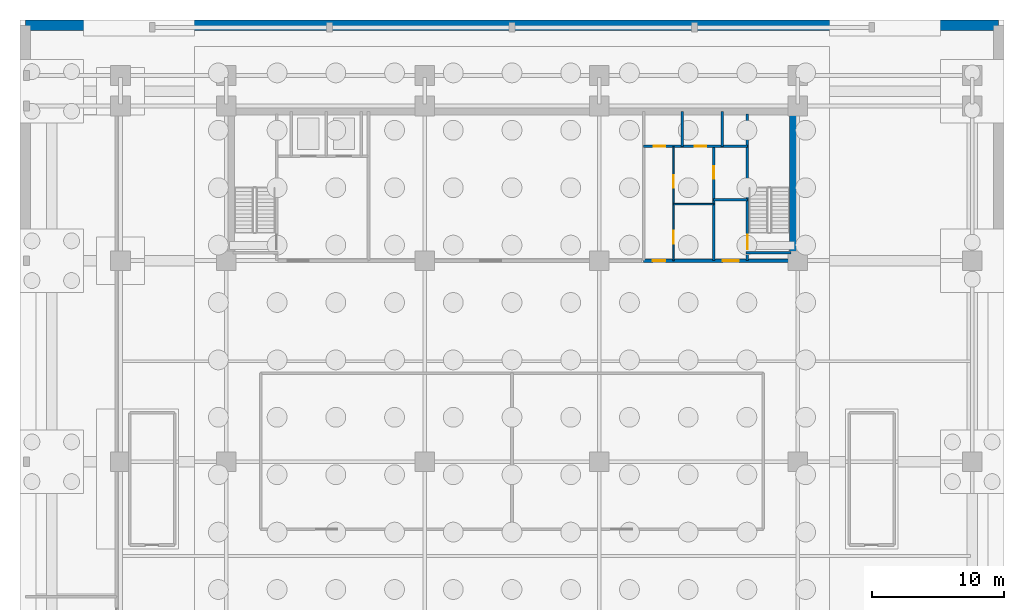
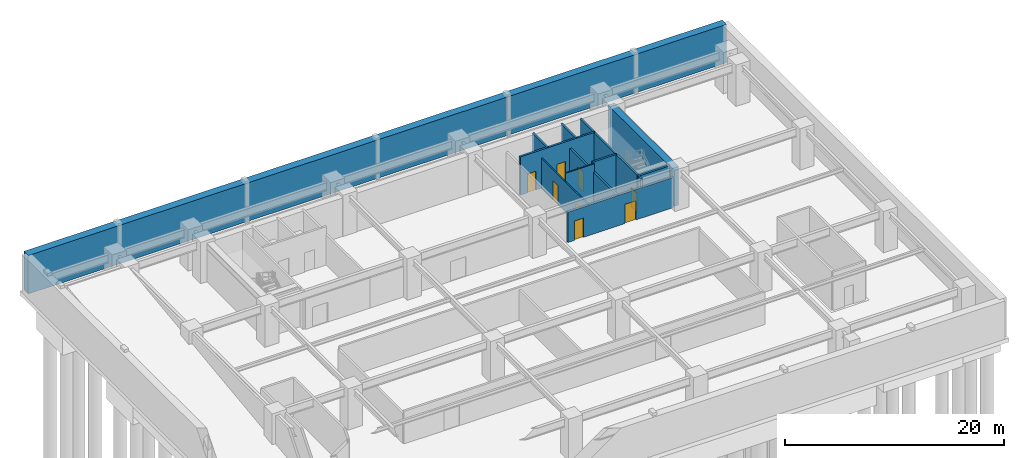
# One storey, part 6 of 9: 12 walls, 8 doors, 8 openings.
"""IFC4 building model written with IfcOpenShell, lengths in metres."""

from ifc_helpers import new_model, si_unit, direction, frame, frame_2d, origin, place, context, subcontext, project, spatial, rectangle, extrude, source, transform, mapped, material, layer, layer_set, type_object, element, fill, save


model = new_model("IFC4")

# Units and contexts
model_context = context("Model", 3, precision=1e-05, world=origin(), true_north=direction((0.0, 1.0)))
body_context = subcontext(model_context, "Body", "Model", "MODEL_VIEW")
ifc_project = project(units=[si_unit("LENGTHUNIT", "METRE"), si_unit("AREAUNIT", "SQUARE_METRE"), si_unit("VOLUMEUNIT", "CUBIC_METRE"), si_unit("PLANEANGLEUNIT", "RADIAN"), si_unit("MASSUNIT", "GRAM", prefix="KILO")], contexts=[model_context])

# Site, building, storey
site_placement = place(None, origin())
site = spatial("IfcSite", under=ifc_project, at=site_placement, CompositionType="ELEMENT")
building_placement = place(site_placement, origin())
building = spatial("IfcBuilding", under=site, at=building_placement, Name="Trelvane Seafront Commons", CompositionType="ELEMENT")
storey_placement = place(building_placement, frame((0.0, 0.0, -13.199951171875)))
storey = spatial("IfcBuildingStorey", under=building, at=storey_placement, Name="B03", CompositionType="ELEMENT", Elevation=-13.199951171875)

# Wall, opening, door
ifc_material_1 = material(Name="Concrete C40/50", Category="concrete")
ifc_layer_1 = layer(ifc_material_1, 0.199951171875, Name="ARCH-WALL-FIRE200")
ifc_layer_set_1 = layer_set([ifc_layer_1], Name="Concrete C40/50")
wall_type_1 = type_object("IfcWallType", Name="ARCH-WALL-FIRE200", PredefinedType="PARTITIONING", material=ifc_layer_set_1)
wall_1_placement = place(storey_placement, frame((52.449951171875, 33.39990234375, 0.0), z_axis=(0.0, 0.0, 1.0), x_axis=(0.0, 1.0, 0.0)))
wall_1 = element("IfcWall", 1, at=wall_1_placement, inside=storey, type_object=wall_type_1, Name="W-B03-ST2V-W-027", PredefinedType="PARTITIONING", context=body_context, shape_type="SweptSolid", body=[
    extrude(rectangle(XDim=8.650146484375, YDim=0.199951171875, at=frame_2d((4.3251953125, 0.0))), origin(), (0.0, 0.0, 1.0), 3.3798828125),
])
opening_1_placement = place(wall_1_placement, frame((6.199951171875, 0.0, 0.0)))
opening_1 = element("IfcOpeningElement", 2, at=opening_1_placement, cuts=wall_1, Name="Opening FD-B03-11", PredefinedType="OPENING", context=body_context, shape_type="SweptSolid", body=[
    extrude(rectangle(XDim=0.949951171875, YDim=2.14990234375, at=frame_2d((0.47509765625, 1.074951171875))), frame((0.0, 0.10986328125, 0.0), z_axis=(0.0, -1.0, 0.0), x_axis=(1.0, 0.0, 0.0)), (0.0, 0.0, 1.0), 0.219970703125),
])
ifc_material_2 = material(Name="Powder-coated aluminium frame", Category="aluminium")
door_type_1 = type_object("IfcDoorType", Name="ARCH-DR-FD60-950", OperationType="NOTDEFINED", PredefinedType="DOOR", material=ifc_material_2)
shared_shape_1 = source(origin(), body_context, "Body", "SweptSolid", [
    extrude(rectangle(XDim=0.949951171875, YDim=2.14990234375, at=frame_2d((0.47509765625, 1.074951171875))), frame((0.0, 0.02490234375, 0.0), z_axis=(0.0, -1.0, 0.0), x_axis=(1.0, 0.0, 0.0)), (0.0, 0.0, 1.0), 0.050048828125),
])
door_1_placement = place(opening_1_placement, origin())
door_1 = element("IfcDoor", 3, at=door_1_placement, inside=storey, type_object=door_type_1, Name="B03 Cleaner Store Door", OperationType="SINGLE_SWING_LEFT", OverallHeight=2.14990234375, OverallWidth=0.949951171875, PredefinedType="DOOR", context=body_context, shape_type="MappedRepresentation", body=[
    mapped(shared_shape_1, transform((0.0, 0.0, 0.0), x_axis=(1.0, 0.0, 0.0), y_axis=(0.0, 1.0, 0.0), z_axis=(0.0, 0.0, 1.0), scale=1.0)),
])
fill(opening_1, door_1)

# Wall
wall_2_placement = place(storey_placement, frame((52.449951171875, 38.0, 0.0), z_axis=(0.0, 0.0, 1.0), x_axis=(1.0, 0.0, 0.0)))
element("IfcWall", 4, at=wall_2_placement, inside=storey, type_object=wall_type_1, Name="W-B03-ST2V-N-028", PredefinedType="PARTITIONING", context=body_context, shape_type="SweptSolid", body=[
    extrude(rectangle(XDim=2.550048828125, YDim=0.199951171875, at=frame_2d((1.27490234375, 0.0))), origin(), (0.0, 0.0, 1.0), 4.280029296875),
])

# Wall, openings, doors
ifc_layer_2 = layer(ifc_material_1, 0.25, Name="ARCH-WALL-FIRE250")
ifc_layer_set_2 = layer_set([ifc_layer_2], Name="Concrete C40/50")
wall_type_2 = type_object("IfcWallType", Name="ARCH-WALL-FIRE250", PredefinedType="PARTITIONING", material=ifc_layer_set_2)
wall_3_placement = place(storey_placement, frame((47.14990234375, 33.39990234375, 0.0), z_axis=(0.0, 0.0, 1.0), x_axis=(1.0, 0.0, 0.0)))
wall_3 = element("IfcWall", 5, at=wall_3_placement, inside=storey, type_object=wall_type_2, Name="W-B03-CS-EAST-031", PredefinedType="PARTITIONING", context=body_context, shape_type="SweptSolid", body=[
    extrude(rectangle(XDim=11.150146484375, YDim=0.25, at=frame_2d((5.5751953125, 0.0))), origin(), (0.0, 0.0, 1.0), 3.3798828125),
])
opening_2_placement = place(wall_3_placement, frame((0.699951171875, 0.0, 0.0)))
opening_2 = element("IfcOpeningElement", 6, at=opening_2_placement, cuts=wall_3, Name="Opening FD-B03-14", PredefinedType="OPENING", context=body_context, shape_type="SweptSolid", body=[
    extrude(rectangle(XDim=0.949951171875, YDim=2.14990234375, at=frame_2d((0.47509765625, 1.074951171875))), frame((0.0, 0.135009765625, 0.0), z_axis=(0.0, -1.0, 0.0), x_axis=(1.0, 0.0, 0.0)), (0.0, 0.0, 1.0), 0.27001953125),
])
opening_3_placement = place(wall_3_placement, frame((6.0, 0.0, 0.0)))
opening_3 = element("IfcOpeningElement", 7, at=opening_3_placement, cuts=wall_3, Name="Opening FD-B03-15", PredefinedType="OPENING", context=body_context, shape_type="SweptSolid", body=[
    extrude(rectangle(XDim=1.199951171875, YDim=2.14990234375, at=frame_2d((0.60009765625, 1.074951171875))), frame((0.0, 0.135009765625, 0.0), z_axis=(0.0, -1.0, 0.0), x_axis=(1.0, 0.0, 0.0)), (0.0, 0.0, 1.0), 0.27001953125),
])
door_2_placement = place(opening_2_placement, origin())
door_2 = element("IfcDoor", 8, at=door_2_placement, inside=storey, type_object=door_type_1, Name="B03 Core Service Lobby Door", OperationType="SINGLE_SWING_RIGHT", OverallHeight=2.14990234375, OverallWidth=0.949951171875, PredefinedType="DOOR", context=body_context, shape_type="MappedRepresentation", body=[
    mapped(shared_shape_1, transform((0.0, 0.0, 0.0), x_axis=(1.0, 0.0, 0.0), y_axis=(0.0, 1.0, 0.0), z_axis=(0.0, 0.0, 1.0), scale=1.0)),
])
fill(opening_2, door_2)
door_type_2 = type_object("IfcDoorType", Name="ARCH-DR-FD60-1200", OperationType="NOTDEFINED", PredefinedType="DOOR", material=ifc_material_2)
shared_shape_2 = source(origin(), body_context, "Body", "SweptSolid", [
    extrude(rectangle(XDim=1.199951171875, YDim=2.14990234375, at=frame_2d((0.60009765625, 1.074951171875))), frame((0.0, 0.02490234375, 0.0), z_axis=(0.0, -1.0, 0.0), x_axis=(1.0, 0.0, 0.0)), (0.0, 0.0, 1.0), 0.050048828125),
])
door_3_placement = place(opening_3_placement, origin())
door_3 = element("IfcDoor", 9, at=door_3_placement, inside=storey, type_object=door_type_2, Name="B03 East Stair Vestibule Fire Door", OperationType="SINGLE_SWING_LEFT", OverallHeight=2.14990234375, OverallWidth=1.199951171875, PredefinedType="DOOR", context=body_context, shape_type="MappedRepresentation", body=[
    mapped(shared_shape_2, transform((0.0, 0.0, 0.0), x_axis=(1.0, 0.0, 0.0), y_axis=(0.0, 1.0, 0.0), z_axis=(0.0, 0.0, 1.0), scale=1.0)),
])
fill(opening_3, door_3)

ifc_material_3 = material(Name="Gypsum Drywall Acoustic Partition")
ifc_layer_3 = layer(ifc_material_3, 0.1201171875, Name="ARCH-WALL-PART120")
ifc_layer_set_3 = layer_set([ifc_layer_3], Name="Gypsum Drywall Acoustic Partition")
wall_type_3 = type_object("IfcWallType", Name="ARCH-WALL-PART120", PredefinedType="PARTITIONING", material=ifc_layer_set_3)
wall_4_placement = place(storey_placement, frame((49.419921875, 33.39990234375, 0.0), z_axis=(0.0, 0.0, 1.0), x_axis=(0.0, 1.0, 0.0)))
wall_4 = element("IfcWall", 10, at=wall_4_placement, inside=storey, type_object=wall_type_3, Name="W-B03-CYC0-V-029", PredefinedType="PARTITIONING", context=body_context, shape_type="SweptSolid", body=[
    extrude(rectangle(XDim=8.60009765625, YDim=0.1201171875, at=frame_2d((4.300048828125, 0.0))), origin(), (0.0, 0.0, 1.0), 3.3798828125),
])
opening_4_placement = place(wall_4_placement, frame((1.300048828125, 0.0, 0.0)))
opening_4 = element("IfcOpeningElement", 11, at=opening_4_placement, cuts=wall_4, Name="Opening D-B03-12", PredefinedType="OPENING", context=body_context, shape_type="SweptSolid", body=[
    extrude(rectangle(XDim=0.949951171875, YDim=2.14990234375, at=frame_2d((0.47509765625, 1.074951171875))), frame((0.0, 0.070068359375, 0.0), z_axis=(0.0, -1.0, 0.0), x_axis=(1.0, 0.0, 0.0)), (0.0, 0.0, 1.0), 0.14013671875),
])
opening_5_placement = place(wall_4_placement, frame((5.5, 0.0, 0.0)))
opening_5 = element("IfcOpeningElement", 12, at=opening_5_placement, cuts=wall_4, Name="Opening D-B03-13", PredefinedType="OPENING", context=body_context, shape_type="SweptSolid", body=[
    extrude(rectangle(XDim=0.949951171875, YDim=2.14990234375, at=frame_2d((0.47509765625, 1.074951171875))), frame((0.0, 0.070068359375, 0.0), z_axis=(0.0, -1.0, 0.0), x_axis=(1.0, 0.0, 0.0)), (0.0, 0.0, 1.0), 0.14013671875),
])
ifc_material_4 = material(Name="Acoustic timber door leaf", Category="wood")
door_type_3 = type_object("IfcDoorType", Name="ARCH-DR-INT950", OperationType="NOTDEFINED", PredefinedType="DOOR", material=ifc_material_4)
door_4_placement = place(opening_4_placement, origin())
door_4 = element("IfcDoor", 13, at=door_4_placement, inside=storey, type_object=door_type_3, Name="B03 Accessible WC Door", OperationType="SINGLE_SWING_RIGHT", OverallHeight=2.14990234375, OverallWidth=0.949951171875, PredefinedType="DOOR", context=body_context, shape_type="MappedRepresentation", body=[
    mapped(shared_shape_1, transform((0.0, 0.0, 0.0), x_axis=(1.0, 0.0, 0.0), y_axis=(0.0, 1.0, 0.0), z_axis=(0.0, 0.0, 1.0), scale=1.0)),
])
fill(opening_4, door_4)
door_5_placement = place(opening_5_placement, origin())
door_5 = element("IfcDoor", 14, at=door_5_placement, inside=storey, type_object=door_type_3, Name="B03 Common WC Door", OperationType="SINGLE_SWING_LEFT", OverallHeight=2.14990234375, OverallWidth=0.949951171875, PredefinedType="DOOR", context=body_context, shape_type="MappedRepresentation", body=[
    mapped(shared_shape_1, transform((0.0, 0.0, 0.0), x_axis=(1.0, 0.0, 0.0), y_axis=(0.0, 1.0, 0.0), z_axis=(0.0, 0.0, 1.0), scale=1.0)),
])
fill(opening_5, door_5)

# Wall
wall_5_placement = place(storey_placement, frame((49.419921875, 37.679931640625, 0.0), z_axis=(0.0, 0.0, 1.0), x_axis=(1.0, 0.0, 0.0)))
element("IfcWall", 15, at=wall_5_placement, inside=storey, type_object=wall_type_3, Name="W-B03-CYC0-H-030", PredefinedType="PARTITIONING", context=body_context, shape_type="SweptSolid", body=[
    extrude(rectangle(XDim=3.030029296875, YDim=0.1201171875, at=frame_2d((1.51513671875, 0.0))), origin(), (0.0, 0.0, 1.0), 4.280029296875),
])

# Wall, openings, doors
ifc_layer_4 = layer(ifc_material_1, 0.199951171875, Name="ARCH-WALL-SHAFT200")
ifc_layer_set_4 = layer_set([ifc_layer_4], Name="Concrete C40/50")
wall_type_4 = type_object("IfcWallType", Name="ARCH-WALL-SHAFT200", PredefinedType="SOLIDWALL", material=ifc_layer_set_4)
wall_6_placement = place(storey_placement, frame((47.14990234375, 42.050048828125, 0.0), z_axis=(0.0, 0.0, 1.0), x_axis=(1.0, 0.0, 0.0)))
wall_6 = element("IfcWall", 16, at=wall_6_placement, inside=storey, type_object=wall_type_4, Name="W-B03-RSR-S-024", PredefinedType="SOLIDWALL", context=body_context, shape_type="SweptSolid", body=[
    extrude(rectangle(XDim=7.85009765625, YDim=0.199951171875, at=frame_2d((3.925048828125, 0.0))), origin(), (0.0, 0.0, 1.0), 4.280029296875),
])
opening_6_placement = place(wall_6_placement, frame((0.75, 0.0, 0.0)))
opening_6 = element("IfcOpeningElement", 17, at=opening_6_placement, cuts=wall_6, Name="Opening FD-B03-09", PredefinedType="OPENING", context=body_context, shape_type="SweptSolid", body=[
    extrude(rectangle(XDim=0.89990234375, YDim=2.10009765625, at=frame_2d((0.449951171875, 1.050048828125))), frame((0.0, 0.10986328125, 0.0), z_axis=(0.0, -1.0, 0.0), x_axis=(1.0, 0.0, 0.0)), (0.0, 0.0, 1.0), 0.219970703125),
])
opening_7_placement = place(wall_6_placement, frame((3.85009765625, 0.0, 0.0)))
opening_7 = element("IfcOpeningElement", 18, at=opening_7_placement, cuts=wall_6, Name="Opening FD-B03-10", PredefinedType="OPENING", context=body_context, shape_type="SweptSolid", body=[
    extrude(rectangle(XDim=0.89990234375, YDim=2.10009765625, at=frame_2d((0.449951171875, 1.050048828125))), frame((0.0, 0.10986328125, 0.0), z_axis=(0.0, -1.0, 0.0), x_axis=(1.0, 0.0, 0.0)), (0.0, 0.0, 1.0), 0.219970703125),
])
door_type_4 = type_object("IfcDoorType", Name="ARCH-DR-FD60-900", OperationType="NOTDEFINED", PredefinedType="DOOR", material=ifc_material_2)
shared_shape_3 = source(origin(), body_context, "Body", "SweptSolid", [
    extrude(rectangle(XDim=0.89990234375, YDim=2.10009765625, at=frame_2d((0.449951171875, 1.050048828125))), frame((0.0, 0.02490234375, 0.0), z_axis=(0.0, -1.0, 0.0), x_axis=(1.0, 0.0, 0.0)), (0.0, 0.0, 1.0), 0.050048828125),
])
door_6_placement = place(opening_6_placement, origin())
door_6 = element("IfcDoor", 19, at=door_6_placement, inside=storey, type_object=door_type_4, Name="B03 Electrical Riser Access Door", OperationType="SINGLE_SWING_LEFT", OverallHeight=2.10009765625, OverallWidth=0.89990234375, PredefinedType="DOOR", context=body_context, shape_type="MappedRepresentation", body=[
    mapped(shared_shape_3, transform((0.0, 0.0, 0.0), x_axis=(1.0, 0.0, 0.0), y_axis=(0.0, 1.0, 0.0), z_axis=(0.0, 0.0, 1.0), scale=1.0)),
])
fill(opening_6, door_6)
door_7_placement = place(opening_7_placement, origin())
door_7 = element("IfcDoor", 20, at=door_7_placement, inside=storey, type_object=door_type_4, Name="B03 Mechanical Riser Access Door", OperationType="SINGLE_SWING_RIGHT", OverallHeight=2.10009765625, OverallWidth=0.89990234375, PredefinedType="DOOR", context=body_context, shape_type="MappedRepresentation", body=[
    mapped(shared_shape_3, transform((0.0, 0.0, 0.0), x_axis=(1.0, 0.0, 0.0), y_axis=(0.0, 1.0, 0.0), z_axis=(0.0, 0.0, 1.0), scale=1.0)),
])
fill(opening_7, door_7)

# Walls
for number, where, z_axis, x_axis, name in (
    (21, (50.080078125, 42.050048828125, 0.0), (0.0, 0.0, 1.0), (0.0, 1.0, 0.0), "W-B03-RSR-DIV-025"),
    (22, (53.10009765625, 42.050048828125, 0.0), (0.0, 0.0, 1.0), (0.0, 1.0, 0.0), "W-B03-RSR-E-026"),
):
    element("IfcWall", number, at=place(storey_placement, frame(where, z_axis=z_axis, x_axis=x_axis)), inside=storey, type_object=wall_type_4, Name=name, PredefinedType="SOLIDWALL", context=body_context, shape_type="SweptSolid", body=[
        extrude(rectangle(XDim=2.64990234375, YDim=0.199951171875, at=frame_2d((1.324951171875, 0.0))), origin(), (0.0, 0.0, 1.0), 4.280029296875),
    ])
ifc_material_5 = material(Name="Concrete C60/75", Category="concrete")
ifc_layer_5 = layer(ifc_material_5, 0.699951171875, Name="STR-WALL-CORE700")
ifc_layer_set_5 = layer_set([ifc_layer_5], Name="Concrete C60/75")
wall_type_5 = type_object("IfcWallType", Name="STR-WALL-CORE700", PredefinedType="SHEAR", material=ifc_layer_set_5)
wall_7_placement = place(storey_placement, frame((58.550048828125, 33.39990234375, 0.0), z_axis=(0.0, 0.0, 1.0), x_axis=(0.0, 1.0, 0.0)))
element("IfcWall", 23, at=wall_7_placement, inside=storey, type_object=wall_type_5, Name="W-B03-CE-END-003", PredefinedType="SHEAR", context=body_context, shape_type="SweptSolid", body=[
    extrude(rectangle(XDim=11.7001953125, YDim=0.699951171875, at=frame_2d((5.85009765625, 0.0))), origin(), (0.0, 0.0, 1.0), 4.280029296875),
])
ifc_material_6 = material(Name="Concrete C50/60", Category="concrete")
ifc_layer_6 = layer(ifc_material_6, 0.800048828125, Name="STR-WALL-RET800")
ifc_layer_set_6 = layer_set([ifc_layer_6], Name="Concrete C50/60")
wall_type_6 = type_object("IfcWallType", Name="STR-WALL-RET800", PredefinedType="USERDEFINED", material=ifc_layer_set_6)
wall_8_placement = place(storey_placement, frame((74.0, 51.199951171875, 0.0), z_axis=(0.0, 0.0, 1.0), x_axis=(-1.0, 0.0, 0.0)))
element("IfcWall", 24, at=wall_8_placement, inside=storey, type_object=wall_type_6, Name="RET-B03-03", ObjectType="RETAINING WALL", PredefinedType="USERDEFINED", context=body_context, shape_type="SweptSolid", body=[
    extrude(rectangle(XDim=73.60009765625, YDim=0.800048828125, at=frame_2d((36.800048828125, 0.0))), origin(), (0.0, 0.0, 1.0), 4.280029296875),
])
ifc_layer_7 = layer(ifc_material_6, 0.199951171875, Name="STR-WALL-STAIR200")
ifc_layer_set_7 = layer_set([ifc_layer_7], Name="Concrete C50/60")
wall_type_7 = type_object("IfcWallType", Name="STR-WALL-STAIR200", PredefinedType="SHEAR", material=ifc_layer_set_7)
wall_9_placement = place(storey_placement, frame((54.89990234375, 34.0, 0.0), z_axis=(0.0, 0.0, 1.0), x_axis=(1.0, 0.0, 0.0)))
element("IfcWall", 25, at=wall_9_placement, inside=storey, type_object=wall_type_7, Name="W-B03-ST2-S-006", PredefinedType="SHEAR", context=body_context, shape_type="SweptSolid", body=[
    extrude(rectangle(XDim=3.400146484375, YDim=0.199951171875, at=frame_2d((1.7001953125, 0.0))), origin(), (0.0, 0.0, 1.0), 4.280029296875),
])

# Wall, opening, door
wall_10_placement = place(storey_placement, frame((55.0, 33.39990234375, 0.0), z_axis=(0.0, 0.0, 1.0), x_axis=(0.0, 1.0, 0.0)))
wall_10 = element("IfcWall", 26, at=wall_10_placement, inside=storey, type_object=wall_type_7, Name="W-B03-ST2-W-007", PredefinedType="SHEAR", context=body_context, shape_type="SweptSolid", body=[
    extrude(rectangle(XDim=11.10009765625, YDim=0.199951171875, at=frame_2d((5.550048828125, 0.0))), origin(), (0.0, 0.0, 1.0), 4.280029296875),
])
opening_8_placement = place(wall_10_placement, frame((0.85009765625, 0.0, 0.0)))
opening_8 = element("IfcOpeningElement", 27, at=opening_8_placement, cuts=wall_10, Name="Opening ST-D2-B03", PredefinedType="OPENING", context=body_context, shape_type="SweptSolid", body=[
    extrude(rectangle(XDim=1.10009765625, YDim=2.14990234375, at=frame_2d((0.550048828125, 1.074951171875))), frame((0.0, 0.10986328125, 0.0), z_axis=(0.0, -1.0, 0.0), x_axis=(1.0, 0.0, 0.0)), (0.0, 0.0, 1.0), 0.219970703125),
])
door_type_5 = type_object("IfcDoorType", Name="ARCH-DR-FD90-1100", OperationType="NOTDEFINED", PredefinedType="DOOR", material=ifc_material_2)
shared_shape_4 = source(origin(), body_context, "Body", "SweptSolid", [
    extrude(rectangle(XDim=1.10009765625, YDim=2.14990234375, at=frame_2d((0.550048828125, 1.074951171875))), frame((0.0, 0.02490234375, 0.0), z_axis=(0.0, -1.0, 0.0), x_axis=(1.0, 0.0, 0.0)), (0.0, 0.0, 1.0), 0.050048828125),
])
door_8_placement = place(opening_8_placement, origin())
door_8 = element("IfcDoor", 28, at=door_8_placement, inside=storey, type_object=door_type_5, Name="B03 Stair ST-2 Vestibule Fire Door", OperationType="SINGLE_SWING_RIGHT", OverallHeight=2.14990234375, OverallWidth=1.10009765625, PredefinedType="DOOR", context=body_context, shape_type="MappedRepresentation", body=[
    mapped(shared_shape_4, transform((0.0, 0.0, 0.0), x_axis=(1.0, 0.0, 0.0), y_axis=(0.0, 1.0, 0.0), z_axis=(0.0, 0.0, 1.0), scale=1.0)),
])
fill(opening_8, door_8)

save(model, "model.ifc")
